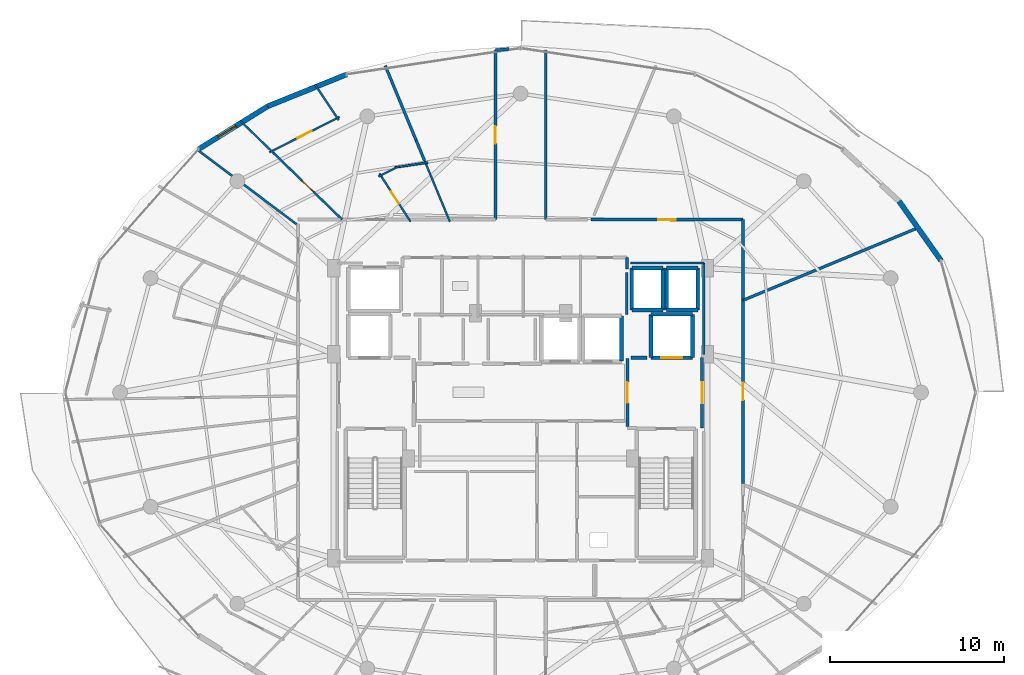
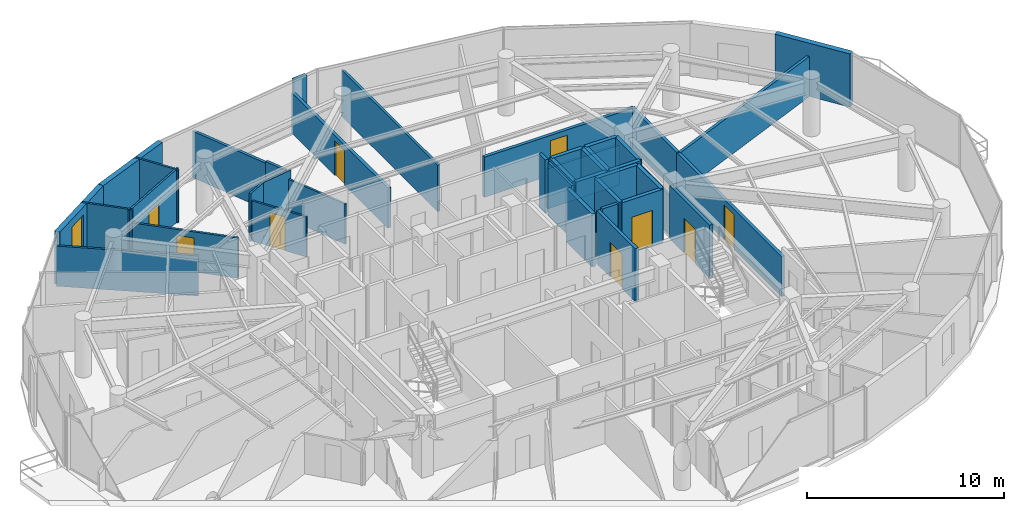
# One storey, part 27 of 31: 41 walls, 9 doors, 1 window, 10 openings.
"""IFC4 building model written with IfcOpenShell, lengths in metres."""

from ifc_helpers import new_model, si_unit, direction, frame, frame_2d, origin, place, context, subcontext, project, spatial, rectangle, extrude, material, layer, layer_set, type_object, element, fill, save


model = new_model("IFC4")

# Units and contexts
model_context = context("Model", 3, precision=1e-05, world=origin(), true_north=direction((0.0, 1.0)))
body_context = subcontext(model_context, "Body", "Model", "MODEL_VIEW")
ifc_project = project(units=[si_unit("LENGTHUNIT", "METRE"), si_unit("AREAUNIT", "SQUARE_METRE"), si_unit("VOLUMEUNIT", "CUBIC_METRE"), si_unit("PLANEANGLEUNIT", "RADIAN"), si_unit("MASSUNIT", "GRAM", prefix="KILO")], contexts=[model_context])

# Site, building, storey
site_placement = place(None, origin())
site = spatial("IfcSite", under=ifc_project, at=site_placement, CompositionType="ELEMENT")
building_placement = place(site_placement, origin())
building = spatial("IfcBuilding", under=site, at=building_placement, Name="Vorneva Point Tower", CompositionType="ELEMENT")
storey_placement = place(building_placement, frame((0.0, 0.0, 248.449951171875)))
storey = spatial("IfcBuildingStorey", under=building, at=storey_placement, Name="L67", CompositionType="ELEMENT", Elevation=248.449951171875)

# Wall, opening, door
ifc_material_1 = material(Name="Concrete B60 (C50/60)", Category="concrete")
ifc_layer_1 = layer(ifc_material_1, 0.35009765625)
ifc_layer_set_1 = layer_set([ifc_layer_1], Name="Concrete B60 (C50/60)")
wall_type_1 = type_object("IfcWallType", Name="WL-CORE-350", PredefinedType="SHEAR", material=ifc_layer_set_1)
wall_1_placement = place(storey_placement, frame((45.5, 28.0, 0.0), z_axis=(0.0, 0.0, 1.0), x_axis=(1.0, 0.0, 0.0)))
wall_1 = element("IfcWall", 1, at=wall_1_placement, inside=storey, type_object=wall_type_1, Name="L67 Lift FFL2 Shaft Wall -Y", PredefinedType="SHEAR", context=body_context, shape_type="SweptSolid", body=[
    extrude(rectangle(XDim=2.39990234375, YDim=0.219970703125, at=frame_2d((1.199951171875, 0.0))), origin(), (0.0, 0.0, 1.0), 3.2900390625),
])
opening_1_placement = place(wall_1_placement, frame((0.60009765625, 0.0, 0.0)))
opening_1 = element("IfcOpeningElement", 2, at=opening_1_placement, cuts=wall_1, Name="Opening LD-02", PredefinedType="OPENING", context=body_context, shape_type="SweptSolid", body=[
    extrude(rectangle(XDim=1.199951171875, YDim=2.199951171875, at=frame_2d((0.60009765625, 1.10009765625))), frame((0.0, 0.125, 0.0), z_axis=(0.0, -1.0, 0.0), x_axis=(1.0, 0.0, 0.0)), (0.0, 0.0, 1.0), 0.249755859375),
])
ifc_material_2 = material(Name="Brushed stainless steel S304", Category="steel")
door_type_1 = type_object("IfcDoorType", Name="LD-FIRE-1200", OperationType="SLIDING_TO_LEFT", PredefinedType="DOOR", material=ifc_material_2)
door_1_placement = place(opening_1_placement, origin())
door_1 = element("IfcDoor", 3, at=door_1_placement, inside=storey, type_object=door_type_1, Name="L67 Lift FFL2 Sliding Landing Door", OperationType="SLIDING_TO_LEFT", OverallHeight=2.199951171875, OverallWidth=1.199951171875, PredefinedType="DOOR", context=body_context, shape_type="SweptSolid", body=[
    extrude(rectangle(XDim=1.199951171875, YDim=2.199951171875, at=frame_2d((0.60009765625, 1.10009765625))), frame((0.0, 0.02490234375, 0.0), z_axis=(0.0, -1.0, 0.0), x_axis=(1.0, 0.0, 0.0)), (0.0, 0.0, 1.0), 0.050048828125),
])
fill(opening_1, door_1)

# Walls
wall_2_placement = place(storey_placement, frame((47.89990234375, 28.0, 0.0), z_axis=(0.0, 0.0, 1.0), x_axis=(0.0, 1.0, 0.0)))
element("IfcWall", 4, at=wall_2_placement, inside=storey, type_object=wall_type_1, Name="L67 Lift FFL2 Shaft Wall +X", PredefinedType="SHEAR", context=body_context, shape_type="SweptSolid", body=[
    extrude(rectangle(XDim=2.5, YDim=0.219970703125, at=frame_2d((1.25, 0.0))), origin(), (0.0, 0.0, 1.0), 3.2900390625),
])
wall_3_placement = place(storey_placement, frame((47.89990234375, 30.5, 0.0), z_axis=(0.0, 0.0, 1.0), x_axis=(-1.0, 0.0, 0.0)))
element("IfcWall", 5, at=wall_3_placement, inside=storey, type_object=wall_type_1, Name="L67 Lift FFL2 Shaft Wall +Y", PredefinedType="SHEAR", context=body_context, shape_type="SweptSolid", body=[
    extrude(rectangle(XDim=2.39990234375, YDim=0.219970703125, at=frame_2d((1.199951171875, 0.0))), origin(), (0.0, 0.0, 1.0), 3.2900390625),
])
wall_4_placement = place(storey_placement, frame((45.5, 30.5, 0.0), z_axis=(0.0, 0.0, 1.0), x_axis=(0.0, -1.0, 0.0)))
element("IfcWall", 6, at=wall_4_placement, inside=storey, type_object=wall_type_1, Name="L67 Lift FFL2 Shaft Wall -X", PredefinedType="SHEAR", context=body_context, shape_type="SweptSolid", body=[
    extrude(rectangle(XDim=2.5, YDim=0.219970703125, at=frame_2d((1.25, 0.0))), origin(), (0.0, 0.0, 1.0), 3.2900390625),
])
ifc_material_3 = material(Name="Precast concrete B50 (C40/50)", Category="concrete")
ifc_layer_2 = layer(ifc_material_3, 0.300048828125)
ifc_layer_set_2 = layer_set([ifc_layer_2], Name="Precast concrete B50 (C40/50)")
wall_type_2 = type_object("IfcWallType", Name="WL-EXT-300", PredefinedType="STANDARD", material=ifc_layer_set_2)
wall_5_placement = place(storey_placement, frame((62.20556640625, 33.5810546875, 0.0), z_axis=(0.0, 0.0, 1.0), x_axis=(-0.577261247247, 0.816559521668, 0.0)))
element("IfcWall", 7, at=wall_5_placement, inside=storey, type_object=wall_type_2, Name="L67 Pale-Metal Facade Spandrel Wall 02.1", PredefinedType="STANDARD", context=body_context, shape_type="SweptSolid", body=[
    extrude(rectangle(XDim=4.194091796875, YDim=0.300048828125, at=frame_2d((2.09716796875, 0.0))), origin(), (0.0, 0.0, 1.0), 3.2900390625),
])
wall_6_placement = place(storey_placement, frame((27.9736328125, 44.302001953125, 0.0), z_axis=(0.0, 0.0, 1.0), x_axis=(-0.927147375511, -0.374696869594, 0.0)))
element("IfcWall", 8, at=wall_6_placement, inside=storey, type_object=wall_type_2, Name="L67 Pale-Metal Facade Spandrel Wall 06.1", PredefinedType="STANDARD", context=body_context, shape_type="SweptSolid", body=[
    extrude(rectangle(XDim=4.885498046875, YDim=0.300048828125, at=frame_2d((2.44287109375, 0.0))), origin(), (0.0, 0.0, 1.0), 3.2900390625),
])

# Wall, opening, window
wall_7_placement = place(storey_placement, frame((23.444091796875, 42.471435546875, 0.0), z_axis=(0.0, 0.0, 1.0), x_axis=(-0.849702323036, -0.527262707032, 0.0)))
wall_7 = element("IfcWall", 9, at=wall_7_placement, inside=storey, type_object=wall_type_2, Name="L67 Pale-Metal Facade Spandrel Wall 06.2", PredefinedType="STANDARD", context=body_context, shape_type="SweptSolid", body=[
    extrude(rectangle(XDim=4.67236328125, YDim=0.300048828125, at=frame_2d((2.336181640625, 0.0))), origin(), (0.0, 0.0, 1.0), 3.2900390625),
])
opening_2_placement = place(wall_7_placement, frame((2.150146484375, 0.0, 0.85009765625)))
opening_2 = element("IfcOpeningElement", 10, at=opening_2_placement, cuts=wall_7, Name="Opening W-04", PredefinedType="OPENING", context=body_context, shape_type="SweptSolid", body=[
    extrude(rectangle(XDim=1.199951171875, YDim=1.949951171875, at=frame_2d((0.60009765625, 0.97509765625))), frame((0.0, 0.1650390625, 0.0), z_axis=(0.0, -1.0, 0.0), x_axis=(1.0, 0.0, 0.0)), (0.0, 0.0, 1.0), 0.329833984375),
])
ifc_material_4 = material(Name="Double low-e laminated glass IGU", Category="glass")
window_type = type_object("IfcWindowType", Name="WN-RES-1200", PartitioningType="SINGLE_PANEL", PredefinedType="WINDOW", material=ifc_material_4)
window_placement = place(opening_2_placement, origin())
window = element("IfcWindow", 11, at=window_placement, inside=storey, type_object=window_type, Name="L67 Dwelling Vision Window 01", OverallHeight=1.949951171875, OverallWidth=1.199951171875, PartitioningType="SINGLE_PANEL", PredefinedType="WINDOW", context=body_context, shape_type="SweptSolid", body=[
    extrude(rectangle(XDim=1.199951171875, YDim=1.949951171875, at=frame_2d((0.60009765625, 0.97509765625))), frame((0.0, 0.030029296875, 0.0), z_axis=(0.0, -1.0, 0.0), x_axis=(1.0, 0.0, 0.0)), (0.0, 0.0, 1.0), 0.06005859375),
])
fill(opening_2, window)

# Wall, opening, door
ifc_material_5 = material(Name="Fire-rated acoustic gypsum stud partition", Category="gypsum")
ifc_layer_3 = layer(ifc_material_5, 0.110107421875)
ifc_layer_set_3 = layer_set([ifc_layer_3], Name="Fire-rated acoustic gypsum stud partition")
wall_type_3 = type_object("IfcWallType", Name="WL-PART-110", PredefinedType="PARTITIONING", material=ifc_layer_set_3)
wall_8_placement = place(storey_placement, frame((31.664794921875, 35.832275390625, 0.0), z_axis=(0.0, 0.0, 1.0), x_axis=(-0.54169901175, 0.840572531474, 0.0)))
wall_8 = element("IfcWall", 12, at=wall_8_placement, inside=storey, type_object=wall_type_3, Name="L67 Interior Partition 071", PredefinedType="PARTITIONING", context=body_context, shape_type="SweptSolid", body=[
    extrude(rectangle(XDim=3.3017578125, YDim=0.110107421875, at=frame_2d((1.65087890625, 0.0))), origin(), (0.0, 0.0, 1.0), 2.48193359375),
])
opening_3_placement = place(wall_8_placement, frame((1.225830078125, 0.0, 0.0)))
opening_3 = element("IfcOpeningElement", 13, at=opening_3_placement, cuts=wall_8, Name="Opening ID-02", PredefinedType="OPENING", context=body_context, shape_type="SweptSolid", body=[
    extrude(rectangle(XDim=0.85009765625, YDim=2.10009765625, at=frame_2d((0.425048828125, 1.050048828125))), frame((0.0, 0.06982421875, 0.0), z_axis=(0.0, -1.0, 0.0), x_axis=(1.0, 0.0, 0.0)), (0.0, 0.0, 1.0), 0.139892578125),
])
ifc_material_6 = material(Name="Engineered oak fire-rated door leaf", Category="wood")
door_type_2 = type_object("IfcDoorType", Name="DR-BATH-850", OperationType="NOTDEFINED", PredefinedType="DOOR", material=ifc_material_6)
door_2_placement = place(opening_3_placement, origin())
door_2 = element("IfcDoor", 14, at=door_2_placement, inside=storey, type_object=door_type_2, Name="L67 Door Living and Dining Room L67-01 / Bathroom L67-01", OperationType="SINGLE_SWING_LEFT", OverallHeight=2.10009765625, OverallWidth=0.85009765625, PredefinedType="DOOR", context=body_context, shape_type="SweptSolid", body=[
    extrude(rectangle(XDim=0.85009765625, YDim=2.10009765625, at=frame_2d((0.425048828125, 1.050048828125))), frame((0.0, 0.02490234375, 0.0), z_axis=(0.0, -1.0, 0.0), x_axis=(1.0, 0.0, 0.0)), (0.0, 0.0, 1.0), 0.050048828125),
])
fill(opening_3, door_2)

# Walls
wall_9_placement = place(storey_placement, frame((29.8271484375, 38.4267578125, 0.0), z_axis=(0.0, 0.0, 1.0), x_axis=(0.892302210035, 0.451438551706, 0.0)))
element("IfcWall", 15, at=wall_9_placement, inside=storey, type_object=wall_type_3, Name="L67 Interior Partition 072", PredefinedType="PARTITIONING", context=body_context, shape_type="SweptSolid", body=[
    extrude(rectangle(XDim=1.339111328125, YDim=0.110107421875, at=frame_2d((0.66943359375, 0.0))), origin(), (0.0, 0.0, 1.0), 2.97216796875),
])
wall_10_placement = place(storey_placement, frame((30.758544921875, 38.947265625, 0.0), z_axis=(0.0, 0.0, 1.0), x_axis=(0.988889867338, 0.148650026153, 0.0)))
element("IfcWall", 16, at=wall_10_placement, inside=storey, type_object=wall_type_3, Name="L67 Interior Partition 073", PredefinedType="PARTITIONING", context=body_context, shape_type="SweptSolid", body=[
    extrude(rectangle(XDim=1.92822265625, YDim=0.110107421875, at=frame_2d((0.964111328125, 0.0))), origin(), (0.0, 0.0, 1.0), 2.97216796875),
])
wall_11_placement = place(storey_placement, frame((32.473388671875, 39.34228515625, 0.0), z_axis=(0.0, 0.0, 1.0), x_axis=(0.382813734438, -0.92382554886, 0.0)))
element("IfcWall", 17, at=wall_11_placement, inside=storey, type_object=wall_type_3, Name="L67 Interior Partition 074", PredefinedType="PARTITIONING", context=body_context, shape_type="SweptSolid", body=[
    extrude(rectangle(XDim=3.811767578125, YDim=0.110107421875, at=frame_2d((1.90576171875, 0.0))), origin(), (0.0, 0.0, 1.0), 2.48193359375),
])

# Wall, opening, door
wall_12_placement = place(storey_placement, frame((27.578857421875, 41.858154296875, 0.0), z_axis=(0.0, 0.0, 1.0), x_axis=(-0.892472689139, -0.451101428883, 0.0)))
wall_12 = element("IfcWall", 18, at=wall_12_placement, inside=storey, type_object=wall_type_3, Name="L67 Interior Partition 075", PredefinedType="PARTITIONING", context=body_context, shape_type="SweptSolid", body=[
    extrude(rectangle(XDim=4.516357421875, YDim=0.110107421875, at=frame_2d((2.25830078125, 0.0))), origin(), (0.0, 0.0, 1.0), 3.2900390625),
])
opening_4_placement = place(wall_12_placement, frame((1.80810546875, 0.0, 0.0)))
opening_4 = element("IfcOpeningElement", 19, at=opening_4_placement, cuts=wall_12, Name="Opening ID-01", PredefinedType="OPENING", context=body_context, shape_type="SweptSolid", body=[
    extrude(rectangle(XDim=0.89990234375, YDim=2.10009765625, at=frame_2d((0.449951171875, 1.050048828125))), frame((0.0, 0.06982421875, 0.0), z_axis=(0.0, -1.0, 0.0), x_axis=(1.0, 0.0, 0.0)), (0.0, 0.0, 1.0), 0.139892578125),
])
door_type_3 = type_object("IfcDoorType", Name="DR-ROOM-900", OperationType="NOTDEFINED", PredefinedType="DOOR", material=ifc_material_6)
door_3_placement = place(opening_4_placement, origin())
door_3 = element("IfcDoor", 20, at=door_3_placement, inside=storey, type_object=door_type_3, Name="L67 Door Living and Dining Room L67-01 / Kitchen L67-01", OperationType="SINGLE_SWING_RIGHT", OverallHeight=2.10009765625, OverallWidth=0.89990234375, PredefinedType="DOOR", context=body_context, shape_type="SweptSolid", body=[
    extrude(rectangle(XDim=0.89990234375, YDim=2.10009765625, at=frame_2d((0.449951171875, 1.050048828125))), frame((0.0, 0.02490234375, 0.0), z_axis=(0.0, -1.0, 0.0), x_axis=(1.0, 0.0, 0.0)), (0.0, 0.0, 1.0), 0.050048828125),
])
fill(opening_4, door_3)

# Walls
wall_13_placement = place(storey_placement, frame((23.7734375, 39.78662109375, 0.0), z_axis=(0.0, 0.0, 1.0), x_axis=(-0.718131661866, 0.695907261225, 0.0)))
element("IfcWall", 21, at=wall_13_placement, inside=storey, type_object=wall_type_3, Name="L67 Interior Partition 076", PredefinedType="PARTITIONING", context=body_context, shape_type="SweptSolid", body=[
    extrude(rectangle(XDim=2.66943359375, YDim=0.110107421875, at=frame_2d((1.334716796875, 0.0))), origin(), (0.0, 0.0, 1.0), 3.2900390625),
])
wall_14_placement = place(storey_placement, frame((26.168212890625, 43.718505859375, 0.0), z_axis=(0.0, 0.0, 1.0), x_axis=(0.555733085272, -0.831360774835, 0.0)))
element("IfcWall", 22, at=wall_14_placement, inside=storey, type_object=wall_type_3, Name="L67 Interior Partition 077", PredefinedType="PARTITIONING", context=body_context, shape_type="SweptSolid", body=[
    extrude(rectangle(XDim=2.45361328125, YDim=0.110107421875, at=frame_2d((1.226806640625, 0.0))), origin(), (0.0, 0.0, 1.0), 3.2900390625),
])

# Wall, opening, door
ifc_layer_4 = layer(ifc_material_5, 0.125)
ifc_layer_set_4 = layer_set([ifc_layer_4], Name="Fire-rated acoustic gypsum stud partition")
wall_type_4 = type_object("IfcWallType", Name="WL-PART-125", PredefinedType="PARTITIONING", material=ifc_layer_set_4)
wall_15_placement = place(storey_placement, frame((23.7734375, 39.78662109375, 0.0), z_axis=(0.0, 0.0, 1.0), x_axis=(0.718070058765, -0.695970826045, 0.0)))
wall_15 = element("IfcWall", 23, at=wall_15_placement, inside=storey, type_object=wall_type_4, Name="L67 Interior Partition 078", PredefinedType="PARTITIONING", context=body_context, shape_type="SweptSolid", body=[
    extrude(rectangle(XDim=5.5126953125, YDim=0.125, at=frame_2d((2.75634765625, 0.0))), origin(), (0.0, 0.0, 1.0), 2.48193359375),
])
opening_5_placement = place(wall_15_placement, frame((2.306396484375, 0.0, 0.0)))
opening_5 = element("IfcOpeningElement", 24, at=opening_5_placement, cuts=wall_15, Name="Opening ID-01", PredefinedType="OPENING", context=body_context, shape_type="SweptSolid", body=[
    extrude(rectangle(XDim=0.89990234375, YDim=2.10009765625, at=frame_2d((0.449951171875, 1.050048828125))), frame((0.0, 0.077392578125, 0.0), z_axis=(0.0, -1.0, 0.0), x_axis=(1.0, 0.0, 0.0)), (0.0, 0.0, 1.0), 0.15478515625),
])
door_4_placement = place(opening_5_placement, origin())
door_4 = element("IfcDoor", 25, at=door_4_placement, inside=storey, type_object=door_type_3, Name="L67 Door Living and Dining Room L67-01 / Master Bedroom L67-01.1", OperationType="SINGLE_SWING_LEFT", OverallHeight=2.10009765625, OverallWidth=0.89990234375, PredefinedType="DOOR", context=body_context, shape_type="SweptSolid", body=[
    extrude(rectangle(XDim=0.89990234375, YDim=2.10009765625, at=frame_2d((0.449951171875, 1.050048828125))), frame((0.0, 0.02490234375, 0.0), z_axis=(0.0, -1.0, 0.0), x_axis=(1.0, 0.0, 0.0)), (0.0, 0.0, 1.0), 0.050048828125),
])
fill(opening_5, door_4)

# Walls
wall_16_placement = place(storey_placement, frame((19.4150390625, 39.9541015625, 0.0), z_axis=(0.0, 0.0, 1.0), x_axis=(0.799712355931, -0.600383334022, 0.0)))
element("IfcWall", 26, at=wall_16_placement, inside=storey, type_object=wall_type_4, Name="L67 Interior Partition 081", PredefinedType="PARTITIONING", context=body_context, shape_type="SweptSolid", body=[
    extrude(rectangle(XDim=7.233642578125, YDim=0.125, at=frame_2d((3.61669921875, 0.0))), origin(), (0.0, 0.0, 1.0), 2.48193359375),
])
ifc_layer_5 = layer(ifc_material_5, 0.139892578125)
ifc_layer_set_5 = layer_set([ifc_layer_5], Name="Fire-rated acoustic gypsum stud partition")
wall_type_5 = type_object("IfcWallType", Name="WL-PART-140", PredefinedType="PARTITIONING", material=ifc_layer_set_5)
wall_17_placement = place(storey_placement, frame((44.1201171875, 30.47998046875, 0.0), z_axis=(0.0, 0.0, 1.0), x_axis=(0.0, 1.0, 0.0)))
element("IfcWall", 27, at=wall_17_placement, inside=storey, type_object=wall_type_5, Name="L67 Interior Closure Partition 131", PredefinedType="PARTITIONING", context=body_context, shape_type="SweptSolid", body=[
    extrude(rectangle(XDim=2.409912109375, YDim=0.139892578125, at=frame_2d((1.205078125, 0.0))), origin(), (0.0, 0.0, 1.0), 3.2900390625),
])
wall_18_placement = place(storey_placement, frame((39.449951171875, 35.949951171875, 0.0), z_axis=(0.0, 0.0, 1.0), x_axis=(0.0, 1.0, 0.0)))
element("IfcWall", 28, at=wall_18_placement, inside=storey, type_object=wall_type_5, Name="L67 Interior Closure Partition 140", PredefinedType="PARTITIONING", context=body_context, shape_type="SweptSolid", body=[
    extrude(rectangle(XDim=9.7509765625, YDim=0.139892578125, at=frame_2d((4.87548828125, 0.0))), origin(), (0.0, 0.0, 1.0), 2.8740234375),
])
wall_19_placement = place(storey_placement, frame((48.550048828125, 28.196044921875, 0.0), z_axis=(0.0, 0.0, 1.0), x_axis=(0.0, 1.0, 0.0)))
element("IfcWall", 29, at=wall_19_placement, inside=storey, type_object=wall_type_5, Name="L67 Interior Closure Partition 143", PredefinedType="PARTITIONING", context=body_context, shape_type="SweptSolid", body=[
    extrude(rectangle(XDim=5.25390625, YDim=0.139892578125, at=frame_2d((2.626953125, 0.0))), origin(), (0.0, 0.0, 1.0), 2.48193359375),
])
wall_20_placement = place(storey_placement, frame((48.550048828125, 33.449951171875, 0.0), z_axis=(0.0, 0.0, 1.0), x_axis=(-1.0, 0.0, 0.0)))
element("IfcWall", 30, at=wall_20_placement, inside=storey, type_object=wall_type_5, Name="L67 Interior Closure Partition 144", PredefinedType="PARTITIONING", context=body_context, shape_type="SweptSolid", body=[
    extrude(rectangle(XDim=4.2099609375, YDim=0.139892578125, at=frame_2d((2.10498046875, 0.0))), origin(), (0.0, 0.0, 1.0), 2.48193359375),
])
ifc_layer_6 = layer(ifc_material_5, 0.159912109375)
ifc_layer_set_6 = layer_set([ifc_layer_6], Name="Fire-rated acoustic gypsum stud partition")
wall_type_6 = type_object("IfcWallType", Name="WL-PART-160", PredefinedType="PARTITIONING", material=ifc_layer_set_6)
wall_21_placement = place(storey_placement, frame((32.473388671875, 39.34228515625, 0.0), z_axis=(0.0, 0.0, 1.0), x_axis=(-0.382714507304, 0.923866660238, 0.0)))
element("IfcWall", 31, at=wall_21_placement, inside=storey, type_object=wall_type_6, Name="L67 Interior Partition 079", PredefinedType="PARTITIONING", context=body_context, shape_type="SweptSolid", body=[
    extrude(rectangle(XDim=1.26806640625, YDim=0.159912109375, at=frame_2d((0.634033203125, 0.0))), origin(), (0.0, 0.0, 1.0), 2.97216796875),
])
wall_22_placement = place(storey_placement, frame((31.988037109375, 40.513916015625, 0.0), z_axis=(0.0, 0.0, 1.0), x_axis=(-0.382733290986, 0.923858878818, 0.0)))
element("IfcWall", 32, at=wall_22_placement, inside=storey, type_object=wall_type_6, Name="L67 Interior Partition 080", PredefinedType="PARTITIONING", context=body_context, shape_type="SweptSolid", body=[
    extrude(rectangle(XDim=4.6533203125, YDim=0.159912109375, at=frame_2d((2.32666015625, 0.0))), origin(), (0.0, 0.0, 1.0), 2.8740234375),
])
wall_23_placement = place(storey_placement, frame((60.866943359375, 35.471923828125, 0.0), z_axis=(0.0, 0.0, 1.0), x_axis=(-0.923877013663, -0.382689513347, 0.0)))
element("IfcWall", 33, at=wall_23_placement, inside=storey, type_object=wall_type_6, Name="L67 Interior Partition 127", PredefinedType="PARTITIONING", context=body_context, shape_type="SweptSolid", body=[
    extrude(rectangle(XDim=10.896240234375, YDim=0.159912109375, at=frame_2d((5.4482421875, 0.0))), origin(), (0.0, 0.0, 1.0), 2.48193359375),
])

# Wall, opening, door
ifc_material_7 = material(Name="Autoclaved aerated concrete blockwork", Category="masonry")
ifc_layer_7 = layer(ifc_material_7, 0.179931640625)
ifc_layer_set_7 = layer_set([ifc_layer_7], Name="Autoclaved aerated concrete blockwork")
wall_type_7 = type_object("IfcWallType", Name="WL-PART-180", PredefinedType="PARTITIONING", material=ifc_layer_set_7)
wall_24_placement = place(storey_placement, frame((44.14990234375, 27.955078125, 0.0), z_axis=(0.0, 0.0, 1.0), x_axis=(0.0, -1.0, 0.0)))
wall_24 = element("IfcWall", 34, at=wall_24_placement, inside=storey, type_object=wall_type_7, Name="L67 Interior Partition 003", PredefinedType="PARTITIONING", context=body_context, shape_type="SweptSolid", body=[
    extrude(rectangle(XDim=3.91015625, YDim=0.179931640625, at=frame_2d((1.955078125, 0.0))), origin(), (0.0, 0.0, 1.0), 3.2900390625),
])
opening_6_placement = place(wall_24_placement, frame((1.35498046875, 0.0, 0.0)))
opening_6 = element("IfcOpeningElement", 35, at=opening_6_placement, cuts=wall_24, Name="Opening FD-02", PredefinedType="OPENING", context=body_context, shape_type="SweptSolid", body=[
    extrude(rectangle(XDim=1.199951171875, YDim=2.14990234375, at=frame_2d((0.60009765625, 1.074951171875))), frame((0.0, 0.10498046875, 0.0), z_axis=(0.0, -1.0, 0.0), x_axis=(1.0, 0.0, 0.0)), (0.0, 0.0, 1.0), 0.209716796875),
])
ifc_material_8 = material(Name="Fire-rated powder-coated steel", Category="steel")
door_type_4 = type_object("IfcDoorType", Name="DR-FFL-1200", OperationType="NOTDEFINED", PredefinedType="DOOR", material=ifc_material_8)
door_5_placement = place(opening_6_placement, origin())
door_5 = element("IfcDoor", 36, at=door_5_placement, inside=storey, type_object=door_type_4, Name="L67 Door East Firefighting Lobby / Central Lift Lobby", OperationType="SINGLE_SWING_LEFT", OverallHeight=2.14990234375, OverallWidth=1.199951171875, PredefinedType="DOOR", context=body_context, shape_type="SweptSolid", body=[
    extrude(rectangle(XDim=1.199951171875, YDim=2.14990234375, at=frame_2d((0.60009765625, 1.074951171875))), frame((0.0, 0.02490234375, 0.0), z_axis=(0.0, -1.0, 0.0), x_axis=(1.0, 0.0, 0.0)), (0.0, 0.0, 1.0), 0.050048828125),
])
fill(opening_6, door_5)

wall_25_placement = place(storey_placement, frame((48.449951171875, 23.949951171875, 0.0), z_axis=(0.0, 0.0, 1.0), x_axis=(0.0, 1.0, 0.0)))
wall_25 = element("IfcWall", 37, at=wall_25_placement, inside=storey, type_object=wall_type_7, Name="L67 Interior Partition 005", PredefinedType="PARTITIONING", context=body_context, shape_type="SweptSolid", body=[
    extrude(rectangle(XDim=4.050048828125, YDim=0.179931640625, at=frame_2d((2.02490234375, 0.0))), origin(), (0.0, 0.0, 1.0), 3.2900390625),
])
opening_7_placement = place(wall_25_placement, frame((1.425048828125, 0.0, 0.0)))
opening_7 = element("IfcOpeningElement", 38, at=opening_7_placement, cuts=wall_25, Name="Opening FD-02", PredefinedType="OPENING", context=body_context, shape_type="SweptSolid", body=[
    extrude(rectangle(XDim=1.199951171875, YDim=2.14990234375, at=frame_2d((0.60009765625, 1.074951171875))), frame((0.0, 0.10498046875, 0.0), z_axis=(0.0, -1.0, 0.0), x_axis=(1.0, 0.0, 0.0)), (0.0, 0.0, 1.0), 0.209716796875),
])
door_6_placement = place(opening_7_placement, origin())
door_6 = element("IfcDoor", 39, at=door_6_placement, inside=storey, type_object=door_type_4, Name="L67 Door East Firefighting Lobby / L67 Circulation Corridor", OperationType="SINGLE_SWING_LEFT", OverallHeight=2.14990234375, OverallWidth=1.199951171875, PredefinedType="DOOR", context=body_context, shape_type="SweptSolid", body=[
    extrude(rectangle(XDim=1.199951171875, YDim=2.14990234375, at=frame_2d((0.60009765625, 1.074951171875))), frame((0.0, 0.02490234375, 0.0), z_axis=(0.0, -1.0, 0.0), x_axis=(1.0, 0.0, 0.0)), (0.0, 0.0, 1.0), 0.050048828125),
])
fill(opening_7, door_6)

# Wall
wall_26_placement = place(storey_placement, frame((44.1201171875, 33.110107421875, 0.0), z_axis=(0.0, 0.0, 1.0), x_axis=(0.0, 1.0, 0.0)))
element("IfcWall", 40, at=wall_26_placement, inside=storey, type_object=wall_type_7, Name="L67 Interior Partition 032", PredefinedType="PARTITIONING", context=body_context, shape_type="SweptSolid", body=[
    extrude(rectangle(XDim=0.64990234375, YDim=0.179931640625, at=frame_2d((0.324951171875, 0.0))), origin(), (0.0, 0.0, 1.0), 3.2900390625),
])

# Wall, opening, door
wall_27_placement = place(storey_placement, frame((50.800048828125, 20.758056640625, 0.0), z_axis=(0.0, 0.0, 1.0), x_axis=(0.0, 1.0, 0.0)))
wall_27 = element("IfcWall", 41, at=wall_27_placement, inside=storey, type_object=wall_type_7, Name="L67 Interior Partition 065", PredefinedType="PARTITIONING", context=body_context, shape_type="SweptSolid", body=[
    extrude(rectangle(XDim=10.60888671875, YDim=0.179931640625, at=frame_2d((5.304443359375, 0.0))), origin(), (0.0, 0.0, 1.0), 2.48193359375),
])
opening_8_placement = place(wall_27_placement, frame((4.804443359375, 0.0, 0.0)))
opening_8 = element("IfcOpeningElement", 42, at=opening_8_placement, cuts=wall_27, Name="Opening UD-01", PredefinedType="OPENING", context=body_context, shape_type="SweptSolid", body=[
    extrude(rectangle(XDim=1.0, YDim=2.14990234375, at=frame_2d((0.5, 1.074951171875))), frame((0.0, 0.10498046875, 0.0), z_axis=(0.0, -1.0, 0.0), x_axis=(1.0, 0.0, 0.0)), (0.0, 0.0, 1.0), 0.209716796875),
])
door_type_5 = type_object("IfcDoorType", Name="DR-UNIT-1000", OperationType="NOTDEFINED", PredefinedType="DOOR", material=ifc_material_6)
door_7_placement = place(opening_8_placement, origin())
door_7 = element("IfcDoor", 43, at=door_7_placement, inside=storey, type_object=door_type_5, Name="L67 Door L67 Circulation Corridor / Residents Sky Lounge L67-06", OperationType="SINGLE_SWING_LEFT", OverallHeight=2.14990234375, OverallWidth=1.0, PredefinedType="DOOR", context=body_context, shape_type="SweptSolid", body=[
    extrude(rectangle(XDim=1.0, YDim=2.14990234375, at=frame_2d((0.5, 1.074951171875))), frame((0.0, 0.02490234375, 0.0), z_axis=(0.0, -1.0, 0.0), x_axis=(1.0, 0.0, 0.0)), (0.0, 0.0, 1.0), 0.050048828125),
])
fill(opening_8, door_7)

# Wall
wall_28_placement = place(storey_placement, frame((50.800048828125, 31.366943359375, 0.0), z_axis=(0.0, 0.0, 1.0), x_axis=(0.0, 1.0, 0.0)))
element("IfcWall", 44, at=wall_28_placement, inside=storey, type_object=wall_type_7, Name="L67 Interior Partition 066", PredefinedType="PARTITIONING", context=body_context, shape_type="SweptSolid", body=[
    extrude(rectangle(XDim=4.5830078125, YDim=0.179931640625, at=frame_2d((2.29150390625, 0.0))), origin(), (0.0, 0.0, 1.0), 2.48193359375),
])

# Wall, opening, door
wall_29_placement = place(storey_placement, frame((50.800048828125, 35.949951171875, 0.0), z_axis=(0.0, 0.0, 1.0), x_axis=(-1.0, 0.0, 0.0)))
wall_29 = element("IfcWall", 45, at=wall_29_placement, inside=storey, type_object=wall_type_7, Name="L67 Interior Partition 067", PredefinedType="PARTITIONING", context=body_context, shape_type="SweptSolid", body=[
    extrude(rectangle(XDim=8.739013671875, YDim=0.179931640625, at=frame_2d((4.36962890625, 0.0))), origin(), (0.0, 0.0, 1.0), 2.48193359375),
])
opening_9_placement = place(wall_29_placement, frame((3.869384765625, 0.0, 0.0)))
opening_9 = element("IfcOpeningElement", 46, at=opening_9_placement, cuts=wall_29, Name="Opening UD-01", PredefinedType="OPENING", context=body_context, shape_type="SweptSolid", body=[
    extrude(rectangle(XDim=1.0, YDim=2.14990234375, at=frame_2d((0.5, 1.074951171875))), frame((0.0, 0.10498046875, 0.0), z_axis=(0.0, -1.0, 0.0), x_axis=(1.0, 0.0, 0.0)), (0.0, 0.0, 1.0), 0.209716796875),
])
door_8_placement = place(opening_9_placement, origin())
door_8 = element("IfcDoor", 47, at=door_8_placement, inside=storey, type_object=door_type_5, Name="L67 Door L67 Circulation Corridor / Residents Sky Lounge L67-07", OperationType="SINGLE_SWING_RIGHT", OverallHeight=2.14990234375, OverallWidth=1.0, PredefinedType="DOOR", context=body_context, shape_type="SweptSolid", body=[
    extrude(rectangle(XDim=1.0, YDim=2.14990234375, at=frame_2d((0.5, 1.074951171875))), frame((0.0, 0.02490234375, 0.0), z_axis=(0.0, -1.0, 0.0), x_axis=(1.0, 0.0, 0.0)), (0.0, 0.0, 1.0), 0.050048828125),
])
fill(opening_9, door_8)

# Wall
wall_30_placement = place(storey_placement, frame((37.3291015625, 45.760009765625, 0.0), z_axis=(0.0, 0.0, 1.0), x_axis=(-0.997136622012, -0.0756211415, 0.0)))
element("IfcWall", 48, at=wall_30_placement, inside=storey, type_object=wall_type_7, Name="L67 Interior Partition 068", PredefinedType="PARTITIONING", context=body_context, shape_type="SweptSolid", body=[
    extrude(rectangle(XDim=0.78125, YDim=0.179931640625, at=frame_2d((0.390625, 0.0))), origin(), (0.0, 0.0, 1.0), 3.2900390625),
])

# Wall, opening, door
wall_31_placement = place(storey_placement, frame((36.550048828125, 45.700927734375, 0.0), z_axis=(0.0, 0.0, 1.0), x_axis=(0.0, -1.0, 0.0)))
wall_31 = element("IfcWall", 49, at=wall_31_placement, inside=storey, type_object=wall_type_7, Name="L67 Interior Partition 069", PredefinedType="PARTITIONING", context=body_context, shape_type="SweptSolid", body=[
    extrude(rectangle(XDim=9.7509765625, YDim=0.179931640625, at=frame_2d((4.87548828125, 0.0))), origin(), (0.0, 0.0, 1.0), 2.48193359375),
])
opening_10_placement = place(wall_31_placement, frame((4.37548828125, 0.0, 0.0)))
opening_10 = element("IfcOpeningElement", 50, at=opening_10_placement, cuts=wall_31, Name="Opening UD-01", PredefinedType="OPENING", context=body_context, shape_type="SweptSolid", body=[
    extrude(rectangle(XDim=1.0, YDim=2.14990234375, at=frame_2d((0.5, 1.074951171875))), frame((0.0, 0.10498046875, 0.0), z_axis=(0.0, -1.0, 0.0), x_axis=(1.0, 0.0, 0.0)), (0.0, 0.0, 1.0), 0.209716796875),
])
door_9_placement = place(opening_10_placement, origin())
door_9 = element("IfcDoor", 51, at=door_9_placement, inside=storey, type_object=door_type_5, Name="L67 Door L67 Circulation Corridor / Residents Fitness Studio L67-08", OperationType="SINGLE_SWING_LEFT", OverallHeight=2.14990234375, OverallWidth=1.0, PredefinedType="DOOR", context=body_context, shape_type="SweptSolid", body=[
    extrude(rectangle(XDim=1.0, YDim=2.14990234375, at=frame_2d((0.5, 1.074951171875))), frame((0.0, 0.02490234375, 0.0), z_axis=(0.0, -1.0, 0.0), x_axis=(1.0, 0.0, 0.0)), (0.0, 0.0, 1.0), 0.050048828125),
])
fill(opening_10, door_9)

# Walls
wall_32_placement = place(storey_placement, frame((45.280029296875, 28.0, 0.0), z_axis=(0.0, 0.0, 1.0), x_axis=(-1.0, 0.0, 0.0)))
element("IfcWall", 52, at=wall_32_placement, inside=storey, type_object=wall_type_7, Name="L67 Interior Closure Partition 129", PredefinedType="PARTITIONING", context=body_context, shape_type="SweptSolid", body=[
    extrude(rectangle(XDim=0.9150390625, YDim=0.179931640625, at=frame_2d((0.45751953125, 0.0))), origin(), (0.0, 0.0, 1.0), 3.2900390625),
])
ifc_material_9 = material(Name="Concrete B50 (C40/50)", Category="concrete")
ifc_layer_8 = layer(ifc_material_9, 0.219970703125)
ifc_layer_set_8 = layer_set([ifc_layer_8], Name="Concrete B50 (C40/50)")
wall_type_8 = type_object("IfcWallType", Name="WL-SHFT-220", PredefinedType="SOLIDWALL", material=ifc_layer_set_8)
wall_33_placement = place(storey_placement, frame((43.800048828125, 27.800048828125, 0.0), z_axis=(0.0, 0.0, 1.0), x_axis=(0.0, 1.0, 0.0)))
element("IfcWall", 53, at=wall_33_placement, inside=storey, type_object=wall_type_8, Name="L67 Lift PL8 Shaft Wall +X", PredefinedType="SOLIDWALL", context=body_context, shape_type="SweptSolid", body=[
    extrude(rectangle(XDim=2.599853515625, YDim=0.219970703125, at=frame_2d((1.2998046875, 0.0))), origin(), (0.0, 0.0, 1.0), 3.2900390625),
])
wall_34_placement = place(storey_placement, frame((44.39990234375, 30.739990234375, 0.0), z_axis=(0.0, 0.0, 1.0), x_axis=(1.0, 0.0, 0.0)))
element("IfcWall", 54, at=wall_34_placement, inside=storey, type_object=wall_type_8, Name="L67 Lift EX1 Shaft Wall -Y", PredefinedType="SOLIDWALL", context=body_context, shape_type="SweptSolid", body=[
    extrude(rectangle(XDim=1.800048828125, YDim=0.219970703125, at=frame_2d((0.89990234375, 0.0))), origin(), (0.0, 0.0, 1.0), 3.2900390625),
])
wall_35_placement = place(storey_placement, frame((46.199951171875, 30.739990234375, 0.0), z_axis=(0.0, 0.0, 1.0), x_axis=(0.0, 1.0, 0.0)))
element("IfcWall", 55, at=wall_35_placement, inside=storey, type_object=wall_type_8, Name="L67 Lift EX1 Shaft Wall +X", PredefinedType="SOLIDWALL", context=body_context, shape_type="SweptSolid", body=[
    extrude(rectangle(XDim=2.419921875, YDim=0.219970703125, at=frame_2d((1.2099609375, 0.0))), origin(), (0.0, 0.0, 1.0), 3.2900390625),
])
wall_36_placement = place(storey_placement, frame((46.199951171875, 33.159912109375, 0.0), z_axis=(0.0, 0.0, 1.0), x_axis=(-1.0, 0.0, 0.0)))
element("IfcWall", 56, at=wall_36_placement, inside=storey, type_object=wall_type_8, Name="L67 Lift EX1 Shaft Wall +Y", PredefinedType="SOLIDWALL", context=body_context, shape_type="SweptSolid", body=[
    extrude(rectangle(XDim=1.800048828125, YDim=0.219970703125, at=frame_2d((0.89990234375, 0.0))), origin(), (0.0, 0.0, 1.0), 3.2900390625),
])
wall_37_placement = place(storey_placement, frame((44.39990234375, 33.159912109375, 0.0), z_axis=(0.0, 0.0, 1.0), x_axis=(0.0, -1.0, 0.0)))
element("IfcWall", 57, at=wall_37_placement, inside=storey, type_object=wall_type_8, Name="L67 Lift EX1 Shaft Wall -X", PredefinedType="SOLIDWALL", context=body_context, shape_type="SweptSolid", body=[
    extrude(rectangle(XDim=2.419921875, YDim=0.219970703125, at=frame_2d((1.2099609375, 0.0))), origin(), (0.0, 0.0, 1.0), 3.2900390625),
])
wall_38_placement = place(storey_placement, frame((46.39990234375, 30.739990234375, 0.0), z_axis=(0.0, 0.0, 1.0), x_axis=(1.0, 0.0, 0.0)))
element("IfcWall", 58, at=wall_38_placement, inside=storey, type_object=wall_type_8, Name="L67 Lift EX2 Shaft Wall -Y", PredefinedType="SOLIDWALL", context=body_context, shape_type="SweptSolid", body=[
    extrude(rectangle(XDim=1.800048828125, YDim=0.219970703125, at=frame_2d((0.89990234375, 0.0))), origin(), (0.0, 0.0, 1.0), 3.2900390625),
])
wall_39_placement = place(storey_placement, frame((48.199951171875, 30.739990234375, 0.0), z_axis=(0.0, 0.0, 1.0), x_axis=(0.0, 1.0, 0.0)))
element("IfcWall", 59, at=wall_39_placement, inside=storey, type_object=wall_type_8, Name="L67 Lift EX2 Shaft Wall +X", PredefinedType="SOLIDWALL", context=body_context, shape_type="SweptSolid", body=[
    extrude(rectangle(XDim=2.419921875, YDim=0.219970703125, at=frame_2d((1.2099609375, 0.0))), origin(), (0.0, 0.0, 1.0), 3.2900390625),
])
wall_40_placement = place(storey_placement, frame((48.199951171875, 33.159912109375, 0.0), z_axis=(0.0, 0.0, 1.0), x_axis=(-1.0, 0.0, 0.0)))
element("IfcWall", 60, at=wall_40_placement, inside=storey, type_object=wall_type_8, Name="L67 Lift EX2 Shaft Wall +Y", PredefinedType="SOLIDWALL", context=body_context, shape_type="SweptSolid", body=[
    extrude(rectangle(XDim=1.800048828125, YDim=0.219970703125, at=frame_2d((0.89990234375, 0.0))), origin(), (0.0, 0.0, 1.0), 3.2900390625),
])
wall_41_placement = place(storey_placement, frame((46.39990234375, 33.159912109375, 0.0), z_axis=(0.0, 0.0, 1.0), x_axis=(0.0, -1.0, 0.0)))
element("IfcWall", 61, at=wall_41_placement, inside=storey, type_object=wall_type_8, Name="L67 Lift EX2 Shaft Wall -X", PredefinedType="SOLIDWALL", context=body_context, shape_type="SweptSolid", body=[
    extrude(rectangle(XDim=2.419921875, YDim=0.219970703125, at=frame_2d((1.2099609375, 0.0))), origin(), (0.0, 0.0, 1.0), 3.2900390625),
])

save(model, "model.ifc")
